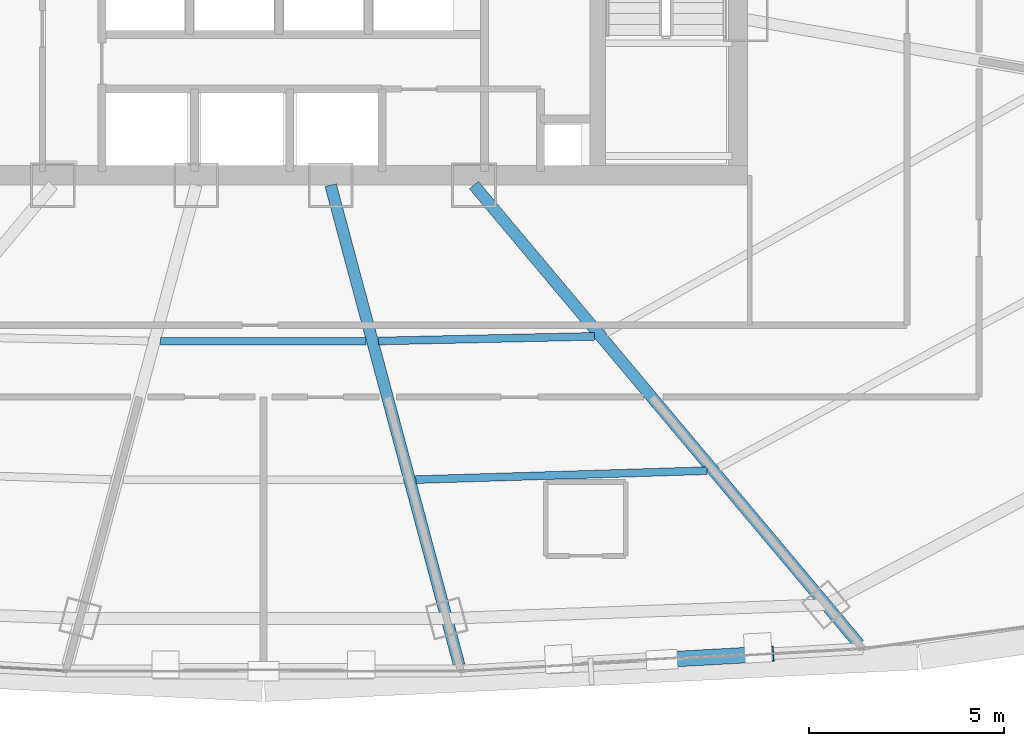
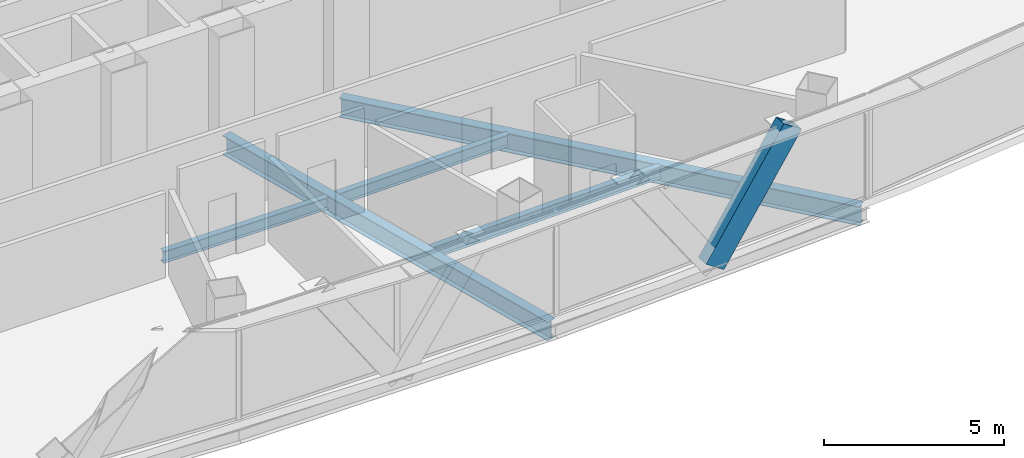
# One storey, part 13 of 36: 5 beams, 1 member.
"""IFC4 building model written with IfcOpenShell, lengths in metres."""

import ifcopenshell
import ifcopenshell.guid

model = None  # the IFC model being written
_history = None  # IfcOwnerHistory: only IFC2X3 demands one
_inside = {}  # id of a spatial element -> (the spatial element, [elements in it])
_under = {}  # id of a project, library or spatial element -> (it, [spatial elements below it])
_declared = {}  # id of a project -> (the project, [libraries it declares])
_typed = {}  # id of a type object -> (the type object, [elements of that type])
_made_of = {}  # id of a material, layer set ... -> (it, [elements and type objects made of it])


def new_model(schema):
    """Start an empty IFC model of exactly this schema.

    Asked for "IFC4X3", IfcOpenShell would pick the latest addendum, in which some entities
    have other attributes; the version numbers below select the first issue.
    IFC2X3 requires an IfcOwnerHistory on every rooted entity: one is made here for all.
    """
    global model, _history
    if schema == "IFC4X3":
        model = ifcopenshell.file(schema_version=(4, 3, 0, 0))
    else:
        model = ifcopenshell.file(schema=schema)
    _inside.clear()
    _under.clear()
    _declared.clear()
    _typed.clear()
    _made_of.clear()
    _history = None
    if model.schema == "IFC2X3":
        org = make("IfcOrganization", Name="unknown")
        user = make(
            "IfcPersonAndOrganization",
            ThePerson=make("IfcPerson", FamilyName="unknown"),
            TheOrganization=org,
        )
        app = make(
            "IfcApplication",
            ApplicationDeveloper=org,
            Version="unknown",
            ApplicationFullName="unknown",
            ApplicationIdentifier="unknown",
        )
        _history = make(
            "IfcOwnerHistory",
            OwningUser=user,
            OwningApplication=app,
            ChangeAction="ADDED",
            CreationDate=0,
        )
    return model


def make(cls, **values):
    """One entity of the class cls with the attributes given. An attribute that is None is left unset."""
    return model.create_entity(
        cls, **{name: value for name, value in values.items() if value is not None}
    )


def rooted(cls, **values):
    """An entity with a GlobalId (a new one), such as an element, a storey or a relation."""
    return make(cls, GlobalId=ifcopenshell.guid.new(), OwnerHistory=_history, **values)


def si_unit(unit_type, name, prefix=None):
    """IfcSIUnit, for example si_unit("LENGTHUNIT", "METRE", prefix="MILLI")."""
    return make("IfcSIUnit", UnitType=unit_type, Prefix=prefix, Name=name)


def assignment(units):
    """IfcUnitAssignment: the units of a project."""
    return None if units is None else make("IfcUnitAssignment", Units=units)


def point(xyz):
    """IfcCartesianPoint."""
    return None if xyz is None else make("IfcCartesianPoint", Coordinates=xyz)


def direction(xyz):
    """IfcDirection."""
    return None if xyz is None else make("IfcDirection", DirectionRatios=xyz)


def frame(location, z_axis=None, x_axis=None):
    """IfcAxis2Placement3D, a coordinate frame: its origin and axes. An axis left out is left unset."""
    return make(
        "IfcAxis2Placement3D",
        Location=point(location),
        Axis=direction(z_axis),
        RefDirection=direction(x_axis),
    )


def frame_2d(location, x_axis=None):
    """IfcAxis2Placement2D, a coordinate frame in the plane: its origin and x axis."""
    return make(
        "IfcAxis2Placement2D", Location=point(location), RefDirection=direction(x_axis)
    )


def origin():
    """The frame at (0, 0, 0) with its axes left unset."""
    return frame((0.0, 0.0, 0.0))


def origin_2d():
    """The frame at (0, 0) in the plane with its x axis left unset."""
    return frame_2d((0.0, 0.0))


def place(relative_to, where):
    """IfcLocalPlacement: puts the frame where relative to a parent placement (None: the world)."""
    return make(
        "IfcLocalPlacement", PlacementRelTo=relative_to, RelativePlacement=where
    )


def context(
    kind, dimensions, precision=None, world=None, true_north=None, identifier=None
):
    """IfcGeometricRepresentationContext, for example the 3D "Model" context."""
    return make(
        "IfcGeometricRepresentationContext",
        ContextIdentifier=identifier,
        ContextType=kind,
        CoordinateSpaceDimension=dimensions,
        Precision=precision,
        WorldCoordinateSystem=world,
        TrueNorth=true_north,
    )


def subcontext(parent, identifier, kind, view, scale=None):
    """IfcGeometricRepresentationSubContext, for example "Body" below "Model"."""
    return make(
        "IfcGeometricRepresentationSubContext",
        ContextIdentifier=identifier,
        ContextType=kind,
        ParentContext=parent,
        TargetScale=scale,
        TargetView=view,
    )


def project(units=None, contexts=None):
    """IfcProject with its units and contexts."""
    return rooted(
        "IfcProject",
        Name="project",
        RepresentationContexts=contexts,
        UnitsInContext=assignment(units),
    )


def spatial(cls, under=None, at=None, **own):
    """A site, building, storey or space (cls), placed at a placement, below another one or the project."""
    s = rooted(cls, ObjectPlacement=at, **own)
    if under is not None:
        _under.setdefault(under.id(), (under, []))[1].append(s)
    return s


def profile(cls, at=None, kind="AREA", **sizes):
    """A parametric profile (cls). Its sizes go by their IFC names, for example OverallWidth=200.0."""
    return make(cls, ProfileType=kind, Position=at, **sizes)


def hollow_rectangle(**sizes):
    """IfcRectangleHollowProfileDef."""
    return profile("IfcRectangleHollowProfileDef", **sizes)


def i_section(**sizes):
    """IfcIShapeProfileDef."""
    return profile("IfcIShapeProfileDef", **sizes)


def extrude(swept, where, along, depth):
    """IfcExtrudedAreaSolid: the profile swept, set in the frame where, extruded along a direction by depth."""
    return make(
        "IfcExtrudedAreaSolid",
        SweptArea=swept,
        Position=where,
        ExtrudedDirection=direction(along),
        Depth=depth,
    )


def shape(context_of_items, identifier, shape_type, items):
    """IfcShapeRepresentation: the items that make up one representation, for example the "Body"."""
    return make(
        "IfcShapeRepresentation",
        ContextOfItems=context_of_items,
        RepresentationIdentifier=identifier,
        RepresentationType=shape_type,
        Items=items,
    )


def source(mapping_origin, context_of_items, identifier, shape_type, items):
    """IfcRepresentationMap: a shape defined once, which mapped items show again and again."""
    return make(
        "IfcRepresentationMap",
        MappingOrigin=mapping_origin,
        MappedRepresentation=shape(context_of_items, identifier, shape_type, items),
    )


def transform(
    local_origin,
    x_axis=None,
    y_axis=None,
    z_axis=None,
    scale=None,
    scale2=None,
    scale3=None,
    uniform=True,
):
    """IfcCartesianTransformationOperator3D, or its non-uniform kind. x_axis, y_axis, z_axis: its Axis1, 2, 3."""
    if uniform:
        return make(
            "IfcCartesianTransformationOperator3D",
            Axis1=direction(x_axis),
            Axis2=direction(y_axis),
            LocalOrigin=point(local_origin),
            Scale=scale,
            Axis3=direction(z_axis),
        )
    return make(
        "IfcCartesianTransformationOperator3DnonUniform",
        Axis1=direction(x_axis),
        Axis2=direction(y_axis),
        LocalOrigin=point(local_origin),
        Scale=scale,
        Axis3=direction(z_axis),
        Scale2=scale2,
        Scale3=scale3,
    )


def mapped(mapping_source, mapping_target):
    """IfcMappedItem: shows the shape of a source again, moved by a transform."""
    return make(
        "IfcMappedItem", MappingSource=mapping_source, MappingTarget=mapping_target
    )


def material(Name=None, Category=None):
    """IfcMaterial."""
    return make("IfcMaterial", Name=Name, Category=Category)


def material_profile(
    of_material, cross_section, Name=None, Category=None, Priority=None
):
    """IfcMaterialProfile: a cross section and its material."""
    return make(
        "IfcMaterialProfile",
        Name=Name,
        Material=of_material,
        Profile=cross_section,
        Priority=Priority,
        Category=Category,
    )


def profile_set(profiles, Name=None, composite=None):
    """IfcMaterialProfileSet."""
    return make(
        "IfcMaterialProfileSet",
        Name=Name,
        MaterialProfiles=profiles,
        CompositeProfile=composite,
    )


def made_of(thing, what):
    """Note that an element or type object is made of a material, layer set ...; save() writes the relation."""
    if what is not None:
        _made_of.setdefault(what.id(), (what, []))[1].append(thing)
    return thing


def type_object(cls, material=None, **own):
    """A type object (cls), such as IfcWallType, which elements share."""
    return made_of(rooted(cls, **own), material)


def element(
    cls,
    number,
    at=None,
    inside=None,
    cuts=None,
    type_object=None,
    material=None,
    context=None,
    identifier="Body",
    shape_type=None,
    held_by="IfcProductDefinitionShape",
    body=None,
    shapes=None,
    **own,
):
    """One element of the class cls, such as IfcWall. Its Tag is "e" and its number.

    at: its placement. inside: the storey or other place that contains it. cuts: it is an
    opening in that element (IfcRelVoidsElement). A single representation is given by context,
    identifier, shape_type and body (its items); several are given by shapes. held_by: the class
    of the entity that holds the representations. save() writes the other relations.
    """
    e = rooted(cls, Tag="e%d" % number, ObjectPlacement=at, **own)
    if body is not None:
        shapes = [shape(context, identifier, shape_type, body)]
    if shapes is not None:
        e.Representation = make(held_by, Representations=shapes)
    if inside is not None:
        _inside.setdefault(inside.id(), (inside, []))[1].append(e)
    if cuts is not None:
        rooted(
            "IfcRelVoidsElement", RelatingBuildingElement=cuts, RelatedOpeningElement=e
        )
    if type_object is not None:
        _typed.setdefault(type_object.id(), (type_object, []))[1].append(e)
    return made_of(e, material)


def aggregate(whole, parts):
    """IfcRelAggregates: a whole, such as a stair, and the parts it consists of."""
    return rooted("IfcRelAggregates", RelatingObject=whole, RelatedObjects=parts)


def save(model, path):
    """Write the relations noted so far, then the file.

    IfcRelAggregates (storeys below a building ...), IfcRelContainedInSpatialStructure (elements
    in a storey), IfcRelDefinesByType, IfcRelAssociatesMaterial and IfcRelDeclares: one each for
    every whole, place, type object, material and project.
    """
    for whole, parts in _under.values():
        aggregate(whole, parts)
    for where, things in _inside.values():
        rooted(
            "IfcRelContainedInSpatialStructure",
            RelatedElements=things,
            RelatingStructure=where,
        )
    for kind, things in _typed.values():
        rooted("IfcRelDefinesByType", RelatedObjects=things, RelatingType=kind)
    for what, things in _made_of.values():
        rooted("IfcRelAssociatesMaterial", RelatedObjects=things, RelatingMaterial=what)
    for by, libraries in _declared.values():
        rooted("IfcRelDeclares", RelatingContext=by, RelatedDefinitions=libraries)
    model.write(path)


model = new_model("IFC4")

# Units and contexts
model_context = context("Model", 3, precision=1e-05, world=origin(), true_north=direction((0.0, 1.0)))
body_context = subcontext(model_context, "Body", "Model", "MODEL_VIEW")
ifc_project = project(units=[si_unit("LENGTHUNIT", "METRE"), si_unit("AREAUNIT", "SQUARE_METRE"), si_unit("VOLUMEUNIT", "CUBIC_METRE"), si_unit("PLANEANGLEUNIT", "RADIAN"), si_unit("MASSUNIT", "GRAM", prefix="KILO"), si_unit("THERMODYNAMICTEMPERATUREUNIT", "KELVIN"), si_unit("POWERUNIT", "WATT")], contexts=[model_context])

# Site, building, storey
site_placement = place(None, origin())
site = spatial("IfcSite", under=ifc_project, at=site_placement, CompositionType="ELEMENT")
building_placement = place(site_placement, origin())
building = spatial("IfcBuilding", under=site, at=building_placement, Name="Yunzhuo Pagoda Commons", CompositionType="ELEMENT")
storey_placement = place(building_placement, frame((0.0, 0.0, 215.159912109375)))
storey = spatial("IfcBuildingStorey", under=building, at=storey_placement, Name="L54", CompositionType="ELEMENT", Elevation=215.159912109375)

# Beams
ifc_material = material(Name="Structural steel Q355B", Category="steel")
ifc_material_profile_1 = material_profile(ifc_material, i_section(OverallWidth=0.199951171875, OverallDepth=0.39990234375, WebThickness=0.008056640625, FlangeThickness=0.012939453125, at=origin_2d()), Name="Structural steel Q355B")
ifc_profile_set_1 = profile_set([ifc_material_profile_1], Name="Structural steel Q355B")
beam_type_1 = type_object("IfcBeamType", Name="B-JS1 Joist HN 400x200x8x13", PredefinedType="JOIST", material=ifc_profile_set_1)
shared_shape_1 = source(origin(), body_context, "Body", "SweptSolid", [
    extrude(i_section(OverallWidth=0.199951171875, OverallDepth=0.39990234375, WebThickness=0.008056640625, FlangeThickness=0.012939453125, at=origin_2d()), origin(), (0.0, 0.0, 1.0), 5.550537109375),
])
beam_1_placement = place(storey_placement, frame((50.961669921875, 23.244140625, -0.4599609375), z_axis=(0.99976582056, 0.021640333643, 0.0), x_axis=(-0.021640333643, 0.99976582056, 0.0)))
element("IfcBeam", 1, at=beam_1_placement, inside=storey, type_object=beam_type_1, Name="L54 composite ring joist 1.3", PredefinedType="JOIST", context=body_context, shape_type="MappedRepresentation", body=[
    mapped(shared_shape_1, transform((0.0, 0.0, 0.0), scale=1.0)),
])
shared_shape_2 = source(origin(), body_context, "Body", "SweptSolid", [
    extrude(i_section(OverallWidth=0.199951171875, OverallDepth=0.39990234375, WebThickness=0.008056640625, FlangeThickness=0.012939453125, at=origin_2d()), origin(), (0.0, 0.0, 1.0), 7.49365234375),
])
beam_2_placement = place(storey_placement, frame((51.91650390625, 19.68115234375, -0.4599609375), z_axis=(0.99952593018, 0.030788226605, 0.0), x_axis=(-0.030788226605, 0.99952593018, 0.0)))
element("IfcBeam", 2, at=beam_2_placement, inside=storey, type_object=beam_type_1, Name="L54 composite ring joist 2.3", PredefinedType="JOIST", context=body_context, shape_type="MappedRepresentation", body=[
    mapped(shared_shape_2, transform((0.0, 0.0, 0.0), scale=1.0)),
])
shared_shape_3 = source(origin(), body_context, "Body", "SweptSolid", [
    extrude(i_section(OverallWidth=0.199951171875, OverallDepth=0.39990234375, WebThickness=0.008056640625, FlangeThickness=0.012939453125, at=origin_2d()), origin(), (0.0, 0.0, 1.0), 5.287109375),
])
beam_3_placement = place(storey_placement, frame((45.3564453125, 23.24072265625, -0.4599609375), z_axis=(1.0, 0.0, 0.0), x_axis=(0.0, 1.0, 0.0)))
element("IfcBeam", 3, at=beam_3_placement, inside=storey, type_object=beam_type_1, Name="L54 composite ring joist 1.2", PredefinedType="JOIST", context=body_context, shape_type="MappedRepresentation", body=[
    mapped(shared_shape_3, transform((0.0, 0.0, 0.0), scale=1.0)),
])
ifc_material_profile_2 = material_profile(ifc_material, i_section(OverallWidth=0.300048828125, OverallDepth=0.64990234375, WebThickness=0.012939453125, FlangeThickness=0.02197265625, at=origin_2d()), Name="Structural steel Q355B")
ifc_profile_set_2 = profile_set([ifc_material_profile_2], Name="Structural steel Q355B")
beam_type_2 = type_object("IfcBeamType", Name="B-RG2 Beam HN 650x300x13x22", PredefinedType="BEAM", material=ifc_profile_set_2)
shared_shape_4 = source(origin(), body_context, "Body", "SweptSolid", [
    extrude(i_section(OverallWidth=0.300048828125, OverallDepth=0.64990234375, WebThickness=0.012939453125, FlangeThickness=0.02197265625, at=origin_2d()), origin(), (0.0, 0.0, 1.0), 15.397216796875),
])
beam_4_placement = place(storey_placement, frame((63.309326171875, 15.455078125, -0.5849609375), z_axis=(-0.642791504822, 0.766041174695, 0.0), x_axis=(-0.766041174695, -0.642791504822, 0.0)))
element("IfcBeam", 4, at=beam_4_placement, inside=storey, type_object=beam_type_2, Name="L54 radial floor girder F1C4", PredefinedType="BEAM", context=body_context, shape_type="MappedRepresentation", body=[
    mapped(shared_shape_4, transform((0.0, 0.0, 0.0), scale=1.0)),
])
shared_shape_5 = source(origin(), body_context, "Body", "SweptSolid", [
    extrude(i_section(OverallWidth=0.300048828125, OverallDepth=0.64990234375, WebThickness=0.012939453125, FlangeThickness=0.02197265625, at=origin_2d()), origin(), (0.0, 0.0, 1.0), 12.775146484375),
])
beam_5_placement = place(storey_placement, frame((53.03466796875, 14.91015625, -0.5849609375), z_axis=(-0.258797220779, 0.965931673835, 0.0), x_axis=(-0.965931673835, -0.258797220779, 0.0)))
element("IfcBeam", 5, at=beam_5_placement, inside=storey, type_object=beam_type_2, Name="L54 radial floor girder F1C3", PredefinedType="BEAM", context=body_context, shape_type="MappedRepresentation", body=[
    mapped(shared_shape_5, transform((0.0, 0.0, 0.0), scale=1.0)),
])

# Member
ifc_material_profile_3 = material_profile(ifc_material, hollow_rectangle(XDim=0.39990234375, YDim=0.719970703125, WallThickness=0.02392578125, at=origin_2d()), Name="Structural steel Q355B")
ifc_profile_set_3 = profile_set([ifc_material_profile_3], Name="Structural steel Q355B")
member_type = type_object("IfcMemberType", Name="M-DL2 Brace BOX 720x400x24", PredefinedType="BRACE", material=ifc_profile_set_3)
shared_shape_6 = source(origin(), body_context, "Body", "SweptSolid", [
    extrude(hollow_rectangle(XDim=0.39990234375, YDim=0.719970703125, WallThickness=0.02392578125, at=origin_2d()), origin(), (0.0, 0.0, 1.0), 4.5810546875),
])
member_placement = place(storey_placement, frame((58.241943359375, 15.04833984375, -0.260009765625), z_axis=(0.564018692898, 0.031443922216, 0.82516313164), x_axis=(-0.055663352574, 0.99844959371, 0.0)))
element("IfcMember", 6, at=member_placement, inside=storey, type_object=member_type, Name="L54 facade diamond brace F1.3R", PredefinedType="BRACE", context=body_context, shape_type="MappedRepresentation", body=[
    mapped(shared_shape_6, transform((0.0, 0.0, 0.0), scale=1.0)),
])

save(model, "model.ifc")
